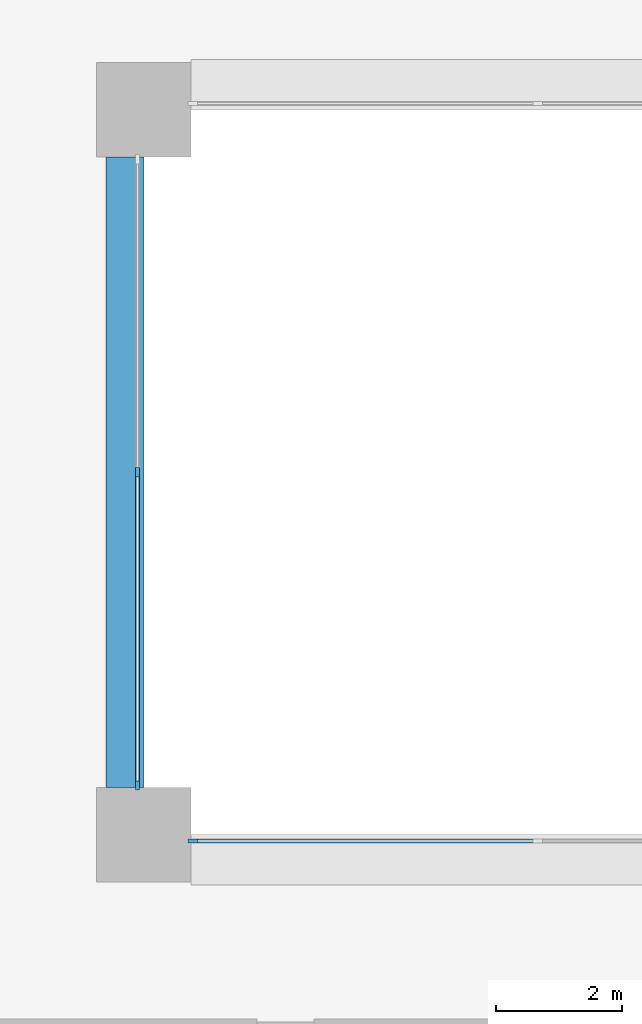
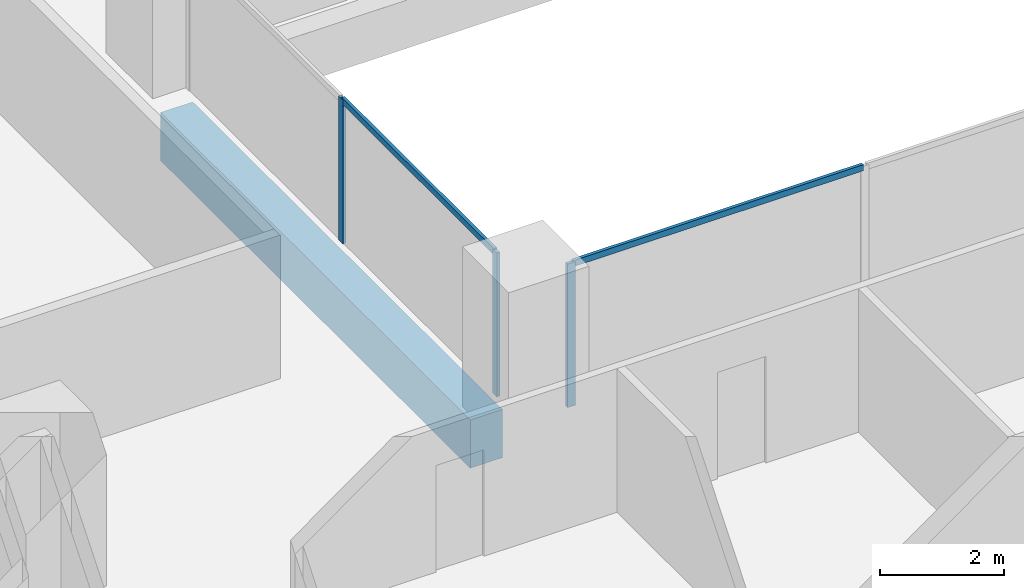
# One storey, part 2 of 20: 5 members, 1 beam, 2 elements without a shape of their own.
"""IFC4 building model written with IfcOpenShell, lengths in metres."""

from ifc_helpers import new_model, si_unit, direction, frame, origin, origin_2d, place, context, subcontext, project, spatial, rectangle, extrude, material, layer, layer_set, material_profile, profile_set, type_object, element, aggregate, save


model = new_model("IFC4")

# Units and contexts
model_context = context("Model", 3, precision=1e-05, world=origin(), true_north=direction((0.0, 1.0)))
body_context = subcontext(model_context, "Body", "Model", "MODEL_VIEW")
ifc_project = project(units=[si_unit("LENGTHUNIT", "METRE"), si_unit("AREAUNIT", "SQUARE_METRE"), si_unit("VOLUMEUNIT", "CUBIC_METRE"), si_unit("PLANEANGLEUNIT", "RADIAN"), si_unit("MASSUNIT", "GRAM", prefix="KILO")], contexts=[model_context])

# Site, building, storey
site_placement = place(None, origin())
site = spatial("IfcSite", under=ifc_project, at=site_placement, CompositionType="ELEMENT")
building_placement = place(site_placement, origin())
building = spatial("IfcBuilding", under=site, at=building_placement, Name="Brigalow Station Residences", CompositionType="ELEMENT")
storey_placement = place(building_placement, frame((0.0, 0.0, 38.39990234375)))
storey = spatial("IfcBuildingStorey", under=building, at=storey_placement, Name="L10", CompositionType="ELEMENT", Elevation=38.39990234375)

# Beam
ifc_material_1 = material(Name="Concrete C65", Category="concrete")
ifc_material_profile_1 = material_profile(ifc_material_1, rectangle(XDim=0.60009765625, YDim=0.949951171875, at=origin_2d()), Name="RC600x950")
ifc_profile_set_1 = profile_set([ifc_material_profile_1], Name="Concrete C65")
beam_type = type_object("IfcBeamType", Name="ATRIUM EDGE GIRDER 600x950 C65", PredefinedType="BEAM", material=ifc_profile_set_1)
beam_placement = place(storey_placement, frame((26.699951171875, 24.75, -0.794921875), z_axis=(0.0, 1.0, 0.0), x_axis=(-1.0, 0.0, 0.0)))
element("IfcBeam", 1, at=beam_placement, inside=storey, type_object=beam_type, Name="ATRIUM EDGE GIRDER 3 L10", PredefinedType="BEAM", context=body_context, shape_type="SweptSolid", body=[
    extrude(rectangle(XDim=0.60009765625, YDim=0.949951171875, at=origin_2d()), origin(), (0.0, 0.0, 1.0), 10.0),
])

# Curtain wall, member
ifc_material_2 = material(Name="Aluminium", Category="aluminium")
ifc_layer = layer(ifc_material_2, 0.14990234375)
ifc_layer_set = layer_set([ifc_layer], Name="ATRIUM FIRE-RATED GLAZING CURTAIN WALL")
curtain_wall_type = type_object("IfcCurtainWallType", Name="ATRIUM FIRE-RATED GLAZING CURTAIN WALL", PredefinedType="NOTDEFINED", material=ifc_layer_set)
curtain_wall_1_placement = place(storey_placement, origin())
curtain_wall_1 = element("IfcCurtainWall", 2, at=curtain_wall_1_placement, inside=storey, type_object=curtain_wall_type, Name="L10/cw/atrium-S", PredefinedType="NOTDEFINED")
ifc_material_3 = material(Name="Aluminium", Category="aluminium")
ifc_material_profile_2 = material_profile(ifc_material_3, rectangle(XDim=0.06005859375, YDim=0.14990234375, at=origin_2d()), Name="ATRIUM FIRE-RATED GLAZING MULLION 60x150")
ifc_profile_set_2 = profile_set([ifc_material_profile_2], Name="Aluminium")
member_type_1 = type_object("IfcMemberType", Name="ATRIUM FIRE-RATED GLAZING MULLION 60x150", PredefinedType="MULLION", material=ifc_profile_set_2)
member_1_placement = place(storey_placement, frame((27.780029296875, 23.89990234375, 0.0), z_axis=(0.0, 0.0, 1.0), x_axis=(0.0, 1.0, 0.0)))
member_1 = element("IfcMember", 3, at=member_1_placement, type_object=member_type_1, Name="L10/cw/atrium-S/M00", PredefinedType="MULLION", context=body_context, shape_type="SweptSolid", body=[
    extrude(rectangle(XDim=0.06005859375, YDim=0.14990234375, at=origin_2d()), origin(), (0.0, 0.0, 1.0), 2.830078125),
])

# Curtain wall, members
curtain_wall_2_placement = place(storey_placement, origin())
curtain_wall_2 = element("IfcCurtainWall", 4, at=curtain_wall_2_placement, inside=storey, type_object=curtain_wall_type, Name="L10/cw/atrium-W", PredefinedType="NOTDEFINED")
member_2_placement = place(storey_placement, frame((26.89990234375, 29.75, 0.0), z_axis=(0.0, 0.0, 1.0), x_axis=(1.0, 0.0, 0.0)))
member_2 = element("IfcMember", 5, at=member_2_placement, type_object=member_type_1, Name="L10/cw/atrium-W/M01", PredefinedType="MULLION", context=body_context, shape_type="SweptSolid", body=[
    extrude(rectangle(XDim=0.06005859375, YDim=0.14990234375, at=origin_2d()), origin(), (0.0, 0.0, 1.0), 2.830078125),
])
member_3_placement = place(storey_placement, frame((26.89990234375, 24.780029296875, 0.0), z_axis=(0.0, 0.0, 1.0), x_axis=(1.0, 0.0, 0.0)))
member_3 = element("IfcMember", 6, at=member_3_placement, type_object=member_type_1, Name="L10/cw/atrium-W/M02", PredefinedType="MULLION", context=body_context, shape_type="SweptSolid", body=[
    extrude(rectangle(XDim=0.06005859375, YDim=0.14990234375, at=origin_2d()), origin(), (0.0, 0.0, 1.0), 2.830078125),
])

# Member
ifc_material_4 = material(Name="Aluminium", Category="aluminium")
ifc_material_profile_3 = material_profile(ifc_material_4, rectangle(XDim=0.06005859375, YDim=0.1201171875, at=origin_2d()), Name="ATRIUM FIRE-RATED GLAZING TRANSOM 60x120")
ifc_profile_set_3 = profile_set([ifc_material_profile_3], Name="Aluminium")
member_type_2 = type_object("IfcMemberType", Name="ATRIUM FIRE-RATED GLAZING TRANSOM 60x120", PredefinedType="USERDEFINED", material=ifc_profile_set_3)
member_4_placement = place(storey_placement, frame((27.81005859375, 23.89990234375, 2.800048828125), z_axis=(1.0, 0.0, 0.0), x_axis=(0.0, 1.0, 0.0)))
member_4 = element("IfcMember", 7, at=member_4_placement, type_object=member_type_2, Name="L10/cw/atrium-S/T00-00", ObjectType="TRANSOM", PredefinedType="USERDEFINED", context=body_context, shape_type="SweptSolid", body=[
    extrude(rectangle(XDim=0.06005859375, YDim=0.1201171875, at=origin_2d()), origin(), (0.0, 0.0, 1.0), 5.409912109375),
])

aggregate(curtain_wall_1, [member_1, member_4])

member_5_placement = place(storey_placement, frame((26.89990234375, 29.719970703125, 2.800048828125), z_axis=(0.0, -1.0, 0.0), x_axis=(1.0, 0.0, 0.0)))
member_5 = element("IfcMember", 8, at=member_5_placement, type_object=member_type_2, Name="L10/cw/atrium-W/T01-00", ObjectType="TRANSOM", PredefinedType="USERDEFINED", context=body_context, shape_type="SweptSolid", body=[
    extrude(rectangle(XDim=0.06005859375, YDim=0.1201171875, at=origin_2d()), origin(), (0.0, 0.0, 1.0), 4.909912109375),
])

aggregate(curtain_wall_2, [member_2, member_3, member_5])

save(model, "model.ifc")
